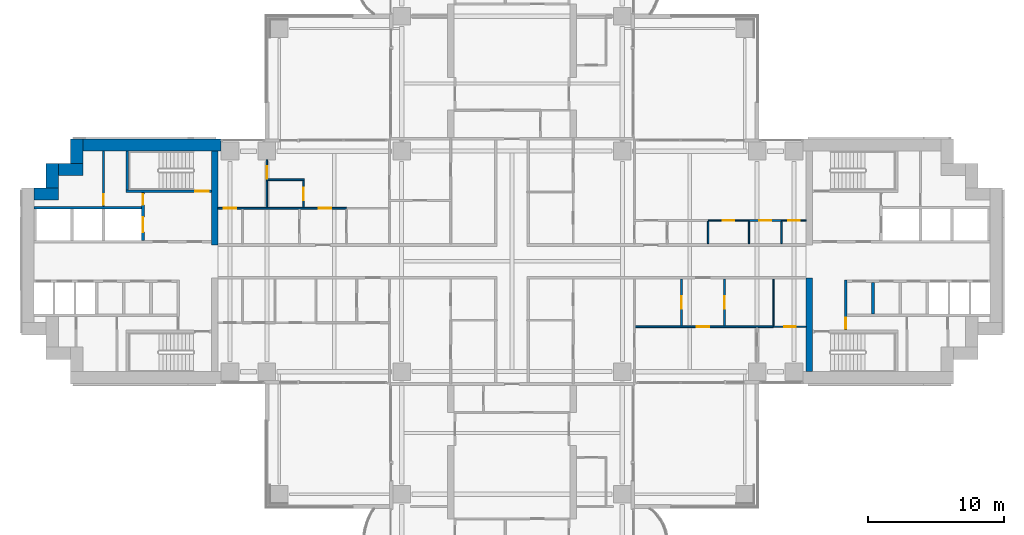
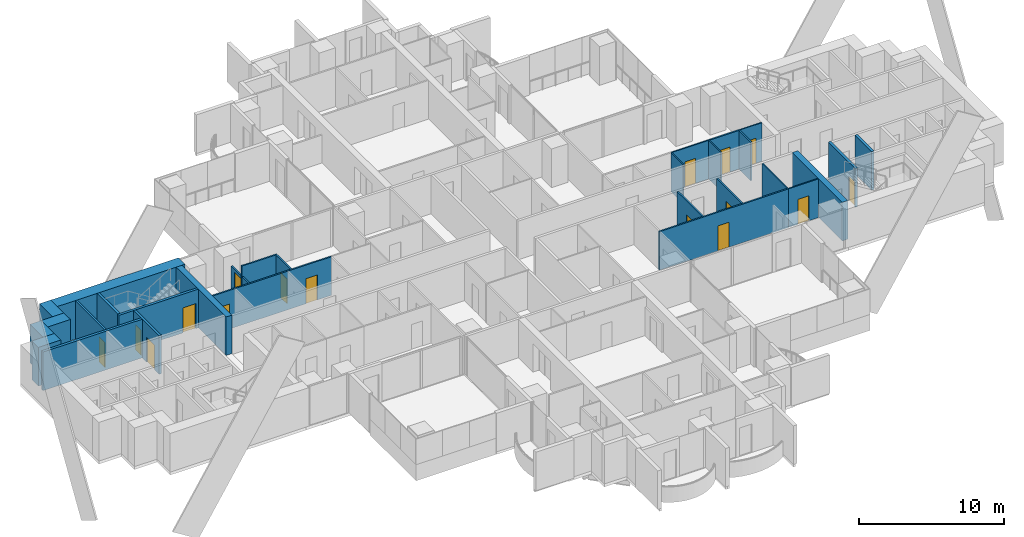
# One storey, part 14 of 23: 29 walls, 16 doors, 16 openings.
"""IFC4 building model written with IfcOpenShell, lengths in metres."""

from ifc_helpers import new_model, si_unit, direction, frame, frame_2d, origin, place, context, subcontext, project, spatial, rectangle, extrude, material, layer, layer_set, type_object, element, fill, save


model = new_model("IFC4")

# Units and contexts
model_context = context("Model", 3, precision=1e-05, world=origin(), true_north=direction((0.0, 1.0)))
body_context = subcontext(model_context, "Body", "Model", "MODEL_VIEW")
ifc_project = project(units=[si_unit("LENGTHUNIT", "METRE"), si_unit("AREAUNIT", "SQUARE_METRE"), si_unit("VOLUMEUNIT", "CUBIC_METRE"), si_unit("PLANEANGLEUNIT", "RADIAN"), si_unit("MASSUNIT", "GRAM", prefix="KILO")], contexts=[model_context])

# Site, building, storey
site_placement = place(None, origin())
site = spatial("IfcSite", under=ifc_project, at=site_placement, CompositionType="ELEMENT")
building_placement = place(site_placement, origin())
building = spatial("IfcBuilding", under=site, at=building_placement, Name="Perihelion Cross Residences", CompositionType="ELEMENT")
storey_placement = place(building_placement, frame((0.0, 0.0, 36.5)))
storey = spatial("IfcBuildingStorey", under=building, at=storey_placement, Name="L05", CompositionType="ELEMENT", Elevation=36.5)

# Walls
ifc_material_1 = material(Name="Concrete C60/75", Category="concrete")
ifc_layer_1 = layer(ifc_material_1, 0.449951171875)
ifc_layer_set_1 = layer_set([ifc_layer_1], Name="Core wall, inner 450")
wall_type_1 = type_object("IfcWallType", Name="Core wall, inner 450", PredefinedType="SHEAR", material=ifc_layer_set_1)
for number, where, z_axis, x_axis, name in (
    (1, (21.824951171875, -8.10009765625, 0.0), (0.0, 0.0, 1.0), (0.0, 1.0, 0.0), "East core core wall, inner"),
    (2, (-21.824951171875, 1.199951171875, 0.0), (0.0, 0.0, 1.0), (0.0, 1.0, 0.0), "West core core wall, inner"),
):
    element("IfcWall", number, at=place(storey_placement, frame(where, z_axis=z_axis, x_axis=x_axis)), inside=storey, type_object=wall_type_1, Name=name, PredefinedType="SHEAR", context=body_context, shape_type="SweptSolid", body=[
        extrude(rectangle(XDim=6.900146484375, YDim=0.449951171875, at=frame_2d((3.4501953125, 0.0))), origin(), (0.0, 0.0, 1.0), 3.25),
    ])
ifc_material_2 = material(Name="Concrete C60/75", Category="concrete")
ifc_layer_2 = layer(ifc_material_2, 0.89990234375)
ifc_layer_set_2 = layer_set([ifc_layer_2], Name="Core wall, outer 900")
wall_type_2 = type_object("IfcWallType", Name="Core wall, outer 900", PredefinedType="SHEAR", material=ifc_layer_set_2)
for number, where, z_axis, x_axis, name in (
    (3, (-35.10009765625, 4.949951171875, 0.0), (0.0, 0.0, 1.0), (1.0, 0.0, 0.0), "West core core wall, outer"),
    (4, (-33.75, 5.39990234375, 0.0), (0.0, 0.0, 1.0), (0.0, 1.0, 0.0), "West core core wall, outer"),
    (5, (-33.300048828125, 6.75, 0.0), (0.0, 0.0, 1.0), (1.0, 0.0, 0.0), "West core core wall, outer"),
    (6, (-31.949951171875, 7.199951171875, 0.0), (0.0, 0.0, 1.0), (0.0, 1.0, 0.0), "West core core wall, outer"),
):
    element("IfcWall", number, at=place(storey_placement, frame(where, z_axis=z_axis, x_axis=x_axis)), inside=storey, type_object=wall_type_2, Name=name, PredefinedType="SHEAR", context=body_context, shape_type="SweptSolid", body=[
        extrude(rectangle(XDim=1.800048828125, YDim=0.89990234375, at=frame_2d((0.89990234375, 0.0))), origin(), (0.0, 0.0, 1.0), 3.25),
    ])
wall_1_placement = place(storey_placement, frame((-31.5, 8.550048828125, 0.0), z_axis=(0.0, 0.0, 1.0), x_axis=(1.0, 0.0, 0.0)))
element("IfcWall", 7, at=wall_1_placement, inside=storey, type_object=wall_type_2, Name="West core core wall, outer", PredefinedType="SHEAR", context=body_context, shape_type="SweptSolid", body=[
    extrude(rectangle(XDim=10.14990234375, YDim=0.89990234375, at=frame_2d((5.074951171875, 0.0))), origin(), (0.0, 0.0, 1.0), 3.25),
])

# Wall, opening, door
ifc_material_3 = material(Name="Concrete C50/60", Category="concrete")
ifc_layer_3 = layer(ifc_material_3, 0.199951171875)
ifc_layer_set_3 = layer_set([ifc_layer_3], Name="Lobby wall 200")
wall_type_3 = type_object("IfcWallType", Name="Lobby wall 200", PredefinedType="SOLIDWALL", material=ifc_layer_set_3)
wall_2_placement = place(storey_placement, frame((24.5, -5.050048828125, 0.0), z_axis=(0.0, 0.0, 1.0), x_axis=(0.0, 1.0, 0.0)))
wall_2 = element("IfcWall", 8, at=wall_2_placement, inside=storey, type_object=wall_type_3, Name="East core lobby wall", PredefinedType="SOLIDWALL", context=body_context, shape_type="SweptSolid", body=[
    extrude(rectangle(XDim=3.699951171875, YDim=0.199951171875, at=frame_2d((1.85009765625, 0.0))), origin(), (0.0, 0.0, 1.0), 3.25),
])
opening_1_placement = place(wall_2_placement, frame((0.10009765625, 0.0, 0.0)))
opening_1 = element("IfcOpeningElement", 9, at=opening_1_placement, cuts=wall_2, Name="Opening L05.C08", PredefinedType="OPENING", context=body_context, shape_type="SweptSolid", body=[
    extrude(rectangle(XDim=0.800048828125, YDim=2.10009765625, at=frame_2d((0.39990234375, 1.050048828125))), frame((0.0, 0.10986328125, 0.0), z_axis=(0.0, -1.0, 0.0), x_axis=(1.0, 0.0, 0.0)), (0.0, 0.0, 1.0), 0.219970703125),
])
ifc_material_4 = material(Name="Steel, powder coated", Category="steel")
door_type_1 = type_object("IfcDoorType", Name="Riser door 800", OperationType="SINGLE_SWING_LEFT", PredefinedType="DOOR", material=ifc_material_4)
door_1_placement = place(opening_1_placement, origin())
door_1 = element("IfcDoor", 10, at=door_1_placement, inside=storey, type_object=door_type_1, Name="East core riser door", OperationType="SINGLE_SWING_LEFT", OverallHeight=2.10009765625, OverallWidth=0.800048828125, PredefinedType="DOOR", context=body_context, shape_type="SweptSolid", body=[
    extrude(rectangle(XDim=0.800048828125, YDim=2.10009765625, at=frame_2d((0.39990234375, 1.050048828125))), frame((0.0, 0.02490234375, 0.0), z_axis=(0.0, -1.0, 0.0), x_axis=(1.0, 0.0, 0.0)), (0.0, 0.0, 1.0), 0.050048828125),
])
fill(opening_1, door_1)

ifc_material_5 = material(Name="Plasterboard partition")
ifc_layer_4 = layer(ifc_material_5, 0.1201171875)
ifc_layer_set_4 = layer_set([ifc_layer_4], Name="Partition wall 120")
wall_type_4 = type_object("IfcWallType", Name="Partition wall 120", PredefinedType="PARTITIONING", material=ifc_layer_set_4)
wall_3_placement = place(storey_placement, frame((17.39990234375, 3.0, 0.0), z_axis=(0.0, 0.0, 1.0), x_axis=(1.0, 0.0, 0.0)))
wall_3 = element("IfcWall", 11, at=wall_3_placement, inside=storey, type_object=wall_type_4, Name="Partition L05 W018", PredefinedType="PARTITIONING", context=body_context, shape_type="SweptSolid", body=[
    extrude(rectangle(XDim=2.400146484375, YDim=0.1201171875, at=frame_2d((1.2001953125, 0.0))), origin(), (0.0, 0.0, 1.0), 3.25),
])
opening_2_placement = place(wall_3_placement, frame((0.75, 0.0, 0.0)))
opening_2 = element("IfcOpeningElement", 12, at=opening_2_placement, cuts=wall_3, Name="Opening L05.A08", PredefinedType="OPENING", context=body_context, shape_type="SweptSolid", body=[
    extrude(rectangle(XDim=0.89990234375, YDim=2.10009765625, at=frame_2d((0.449951171875, 1.050048828125))), frame((0.0, 0.070068359375, 0.0), z_axis=(0.0, -1.0, 0.0), x_axis=(1.0, 0.0, 0.0)), (0.0, 0.0, 1.0), 0.14013671875),
])
ifc_material_6 = material(Name="Timber door leaf", Category="wood")
door_type_2 = type_object("IfcDoorType", Name="Interior room door 900 x 2100", OperationType="SINGLE_SWING_LEFT", PredefinedType="DOOR", material=ifc_material_6)
door_2_placement = place(opening_2_placement, origin())
door_2 = element("IfcDoor", 13, at=door_2_placement, inside=storey, type_object=door_type_2, Name="Door L05.A08", OperationType="SINGLE_SWING_RIGHT", OverallHeight=2.10009765625, OverallWidth=0.89990234375, PredefinedType="DOOR", context=body_context, shape_type="SweptSolid", body=[
    extrude(rectangle(XDim=0.89990234375, YDim=2.10009765625, at=frame_2d((0.449951171875, 1.050048828125))), frame((0.0, 0.02490234375, 0.0), z_axis=(0.0, -1.0, 0.0), x_axis=(1.0, 0.0, 0.0)), (0.0, 0.0, 1.0), 0.050048828125),
])
fill(opening_2, door_2)

wall_4_placement = place(storey_placement, frame((12.449951171875, -1.300048828125, 0.0), z_axis=(0.0, 0.0, 1.0), x_axis=(0.0, -1.0, 0.0)))
wall_4 = element("IfcWall", 14, at=wall_4_placement, inside=storey, type_object=wall_type_4, Name="Partition L05 W023", PredefinedType="PARTITIONING", context=body_context, shape_type="SweptSolid", body=[
    extrude(rectangle(XDim=3.43994140625, YDim=0.1201171875, at=frame_2d((1.719970703125, 0.0))), origin(), (0.0, 0.0, 1.0), 3.25),
])
opening_3_placement = place(wall_4_placement, frame((1.27001953125, 0.0, 0.0)))
opening_3 = element("IfcOpeningElement", 15, at=opening_3_placement, cuts=wall_4, Name="Opening L05.A10", PredefinedType="OPENING", context=body_context, shape_type="SweptSolid", body=[
    extrude(rectangle(XDim=0.89990234375, YDim=2.10009765625, at=frame_2d((0.449951171875, 1.050048828125))), frame((0.0, 0.070068359375, 0.0), z_axis=(0.0, -1.0, 0.0), x_axis=(1.0, 0.0, 0.0)), (0.0, 0.0, 1.0), 0.14013671875),
])
door_3_placement = place(opening_3_placement, origin())
door_3 = element("IfcDoor", 16, at=door_3_placement, inside=storey, type_object=door_type_2, Name="Door L05.A10", OperationType="SINGLE_SWING_RIGHT", OverallHeight=2.10009765625, OverallWidth=0.89990234375, PredefinedType="DOOR", context=body_context, shape_type="SweptSolid", body=[
    extrude(rectangle(XDim=0.89990234375, YDim=2.10009765625, at=frame_2d((0.449951171875, 1.050048828125))), frame((0.0, 0.02490234375, 0.0), z_axis=(0.0, -1.0, 0.0), x_axis=(1.0, 0.0, 0.0)), (0.0, 0.0, 1.0), 0.050048828125),
])
fill(opening_3, door_3)

wall_5_placement = place(storey_placement, frame((19.199951171875, -4.800048828125, 0.0), z_axis=(0.0, 0.0, 1.0), x_axis=(-1.0, 0.0, 0.0)))
wall_5 = element("IfcWall", 17, at=wall_5_placement, inside=storey, type_object=wall_type_4, Name="Partition L05 W024", PredefinedType="PARTITIONING", context=body_context, shape_type="SweptSolid", body=[
    extrude(rectangle(XDim=10.260009765625, YDim=0.1201171875, at=frame_2d((5.1298828125, 0.0))), origin(), (0.0, 0.0, 1.0), 3.25),
])
opening_4_placement = place(wall_5_placement, frame((4.72509765625, 0.0, 0.0)))
opening_4 = element("IfcOpeningElement", 18, at=opening_4_placement, cuts=wall_5, Name="Opening L05.A12", PredefinedType="OPENING", context=body_context, shape_type="SweptSolid", body=[
    extrude(rectangle(XDim=0.89990234375, YDim=2.10009765625, at=frame_2d((0.449951171875, 1.050048828125))), frame((0.0, 0.070068359375, 0.0), z_axis=(0.0, -1.0, 0.0), x_axis=(1.0, 0.0, 0.0)), (0.0, 0.0, 1.0), 0.14013671875),
])
door_4_placement = place(opening_4_placement, origin())
door_4 = element("IfcDoor", 19, at=door_4_placement, inside=storey, type_object=door_type_2, Name="Door L05.A12", OperationType="SINGLE_SWING_RIGHT", OverallHeight=2.10009765625, OverallWidth=0.89990234375, PredefinedType="DOOR", context=body_context, shape_type="SweptSolid", body=[
    extrude(rectangle(XDim=0.89990234375, YDim=2.10009765625, at=frame_2d((0.449951171875, 1.050048828125))), frame((0.0, 0.02490234375, 0.0), z_axis=(0.0, -1.0, 0.0), x_axis=(1.0, 0.0, 0.0)), (0.0, 0.0, 1.0), 0.050048828125),
])
fill(opening_4, door_4)

wall_6_placement = place(storey_placement, frame((15.60009765625, -1.300048828125, 0.0), z_axis=(0.0, 0.0, 1.0), x_axis=(0.0, -1.0, 0.0)))
wall_6 = element("IfcWall", 20, at=wall_6_placement, inside=storey, type_object=wall_type_4, Name="Partition L05 W026", PredefinedType="PARTITIONING", context=body_context, shape_type="SweptSolid", body=[
    extrude(rectangle(XDim=3.43994140625, YDim=0.1201171875, at=frame_2d((1.719970703125, 0.0))), origin(), (0.0, 0.0, 1.0), 3.25),
])
opening_5_placement = place(wall_6_placement, frame((1.27001953125, 0.0, 0.0)))
opening_5 = element("IfcOpeningElement", 21, at=opening_5_placement, cuts=wall_6, Name="Opening L05.A11", PredefinedType="OPENING", context=body_context, shape_type="SweptSolid", body=[
    extrude(rectangle(XDim=0.89990234375, YDim=2.10009765625, at=frame_2d((0.449951171875, 1.050048828125))), frame((0.0, 0.070068359375, 0.0), z_axis=(0.0, -1.0, 0.0), x_axis=(1.0, 0.0, 0.0)), (0.0, 0.0, 1.0), 0.14013671875),
])
door_5_placement = place(opening_5_placement, origin())
door_5 = element("IfcDoor", 22, at=door_5_placement, inside=storey, type_object=door_type_2, Name="Door L05.A11", OperationType="SINGLE_SWING_LEFT", OverallHeight=2.10009765625, OverallWidth=0.89990234375, PredefinedType="DOOR", context=body_context, shape_type="SweptSolid", body=[
    extrude(rectangle(XDim=0.89990234375, YDim=2.10009765625, at=frame_2d((0.449951171875, 1.050048828125))), frame((0.0, 0.02490234375, 0.0), z_axis=(0.0, -1.0, 0.0), x_axis=(1.0, 0.0, 0.0)), (0.0, 0.0, 1.0), 0.050048828125),
])
fill(opening_5, door_5)

# Wall, openings, doors
wall_7_placement = place(storey_placement, frame((-21.60009765625, 3.89990234375, 0.0), z_axis=(0.0, 0.0, 1.0), x_axis=(1.0, 0.0, 0.0)))
wall_7 = element("IfcWall", 23, at=wall_7_placement, inside=storey, type_object=wall_type_4, Name="Partition L05 W037", PredefinedType="PARTITIONING", context=body_context, shape_type="SweptSolid", body=[
    extrude(rectangle(XDim=9.4501953125, YDim=0.1201171875, at=frame_2d((4.72509765625, 0.0))), origin(), (0.0, 0.0, 1.0), 3.25),
])
opening_6_placement = place(wall_7_placement, frame((7.425048828125, 0.0, 0.0)))
opening_6 = element("IfcOpeningElement", 24, at=opening_6_placement, cuts=wall_7, Name="Opening L05.A23", PredefinedType="OPENING", context=body_context, shape_type="SweptSolid", body=[
    extrude(rectangle(XDim=0.89990234375, YDim=2.10009765625, at=frame_2d((0.449951171875, 1.050048828125))), frame((0.0, 0.070068359375, 0.0), z_axis=(0.0, -1.0, 0.0), x_axis=(1.0, 0.0, 0.0)), (0.0, 0.0, 1.0), 0.14013671875),
])
opening_7_placement = place(wall_7_placement, frame((0.449951171875, 0.0, 0.0)))
opening_7 = element("IfcOpeningElement", 25, at=opening_7_placement, cuts=wall_7, Name="Opening L05.A24", PredefinedType="OPENING", context=body_context, shape_type="SweptSolid", body=[
    extrude(rectangle(XDim=0.89990234375, YDim=2.10009765625, at=frame_2d((0.449951171875, 1.050048828125))), frame((0.0, 0.070068359375, 0.0), z_axis=(0.0, -1.0, 0.0), x_axis=(1.0, 0.0, 0.0)), (0.0, 0.0, 1.0), 0.14013671875),
])
door_6_placement = place(opening_6_placement, origin())
door_6 = element("IfcDoor", 26, at=door_6_placement, inside=storey, type_object=door_type_2, Name="Door L05.A23", OperationType="SINGLE_SWING_RIGHT", OverallHeight=2.10009765625, OverallWidth=0.89990234375, PredefinedType="DOOR", context=body_context, shape_type="SweptSolid", body=[
    extrude(rectangle(XDim=0.89990234375, YDim=2.10009765625, at=frame_2d((0.449951171875, 1.050048828125))), frame((0.0, 0.02490234375, 0.0), z_axis=(0.0, -1.0, 0.0), x_axis=(1.0, 0.0, 0.0)), (0.0, 0.0, 1.0), 0.050048828125),
])
fill(opening_6, door_6)
door_7_placement = place(opening_7_placement, origin())
door_7 = element("IfcDoor", 27, at=door_7_placement, inside=storey, type_object=door_type_2, Name="Door L05.A24", OperationType="SINGLE_SWING_LEFT", OverallHeight=2.10009765625, OverallWidth=0.89990234375, PredefinedType="DOOR", context=body_context, shape_type="SweptSolid", body=[
    extrude(rectangle(XDim=0.89990234375, YDim=2.10009765625, at=frame_2d((0.449951171875, 1.050048828125))), frame((0.0, 0.02490234375, 0.0), z_axis=(0.0, -1.0, 0.0), x_axis=(1.0, 0.0, 0.0)), (0.0, 0.0, 1.0), 0.050048828125),
])
fill(opening_7, door_7)

# Wall, opening, door
wall_8_placement = place(storey_placement, frame((-15.300048828125, 3.9599609375, 0.0), z_axis=(0.0, 0.0, 1.0), x_axis=(0.0, 1.0, 0.0)))
wall_8 = element("IfcWall", 28, at=wall_8_placement, inside=storey, type_object=wall_type_4, Name="Partition L05 W039", PredefinedType="PARTITIONING", context=body_context, shape_type="SweptSolid", body=[
    extrude(rectangle(XDim=1.97998046875, YDim=0.1201171875, at=frame_2d((0.989990234375, 0.0))), origin(), (0.0, 0.0, 1.0), 3.25),
])
opening_8_placement = place(wall_8_placement, frame((0.5400390625, 0.0, 0.0)))
opening_8 = element("IfcOpeningElement", 29, at=opening_8_placement, cuts=wall_8, Name="Opening L05.A25", PredefinedType="OPENING", context=body_context, shape_type="SweptSolid", body=[
    extrude(rectangle(XDim=0.89990234375, YDim=2.10009765625, at=frame_2d((0.449951171875, 1.050048828125))), frame((0.0, 0.070068359375, 0.0), z_axis=(0.0, -1.0, 0.0), x_axis=(1.0, 0.0, 0.0)), (0.0, 0.0, 1.0), 0.14013671875),
])
door_8_placement = place(opening_8_placement, origin())
door_8 = element("IfcDoor", 30, at=door_8_placement, inside=storey, type_object=door_type_2, Name="Door L05.A25", OperationType="SINGLE_SWING_LEFT", OverallHeight=2.10009765625, OverallWidth=0.89990234375, PredefinedType="DOOR", context=body_context, shape_type="SweptSolid", body=[
    extrude(rectangle(XDim=0.89990234375, YDim=2.10009765625, at=frame_2d((0.449951171875, 1.050048828125))), frame((0.0, 0.02490234375, 0.0), z_axis=(0.0, -1.0, 0.0), x_axis=(1.0, 0.0, 0.0)), (0.0, 0.0, 1.0), 0.050048828125),
])
fill(opening_8, door_8)

# Wall
wall_9_placement = place(storey_placement, frame((-15.239990234375, 6.0, 0.0), z_axis=(0.0, 0.0, 1.0), x_axis=(-1.0, 0.0, 0.0)))
element("IfcWall", 31, at=wall_9_placement, inside=storey, type_object=wall_type_4, Name="Partition L05 W040", PredefinedType="PARTITIONING", context=body_context, shape_type="SweptSolid", body=[
    extrude(rectangle(XDim=2.820068359375, YDim=0.1201171875, at=frame_2d((1.41015625, 0.0))), origin(), (0.0, 0.0, 1.0), 3.25),
])

# Wall, opening, door
wall_10_placement = place(storey_placement, frame((-18.0, 3.9599609375, 0.0), z_axis=(0.0, 0.0, 1.0), x_axis=(0.0, 1.0, 0.0)))
wall_10 = element("IfcWall", 32, at=wall_10_placement, inside=storey, type_object=wall_type_4, Name="Partition L05 W041", PredefinedType="PARTITIONING", context=body_context, shape_type="SweptSolid", body=[
    extrude(rectangle(XDim=3.489990234375, YDim=0.1201171875, at=frame_2d((1.7451171875, 0.0))), origin(), (0.0, 0.0, 1.0), 2.345947265625),
])
opening_9_placement = place(wall_10_placement, frame((2.110107421875, 0.0, 0.0)))
opening_9 = element("IfcOpeningElement", 33, at=opening_9_placement, cuts=wall_10, Name="Opening L05.A17", PredefinedType="OPENING", context=body_context, shape_type="SweptSolid", body=[
    extrude(rectangle(XDim=0.89990234375, YDim=2.10009765625, at=frame_2d((0.449951171875, 1.050048828125))), frame((0.0, 0.070068359375, 0.0), z_axis=(0.0, -1.0, 0.0), x_axis=(1.0, 0.0, 0.0)), (0.0, 0.0, 1.0), 0.14013671875),
])
door_9_placement = place(opening_9_placement, origin())
door_9 = element("IfcDoor", 34, at=door_9_placement, inside=storey, type_object=door_type_2, Name="Door L05.A17", OperationType="SINGLE_SWING_LEFT", OverallHeight=2.10009765625, OverallWidth=0.89990234375, PredefinedType="DOOR", context=body_context, shape_type="SweptSolid", body=[
    extrude(rectangle(XDim=0.89990234375, YDim=2.10009765625, at=frame_2d((0.449951171875, 1.050048828125))), frame((0.0, 0.02490234375, 0.0), z_axis=(0.0, -1.0, 0.0), x_axis=(1.0, 0.0, 0.0)), (0.0, 0.0, 1.0), 0.050048828125),
])
fill(opening_9, door_9)

ifc_material_7 = material(Name="Fire-rated board on steel stud", Category="steel")
ifc_layer_5 = layer(ifc_material_7, 0.14990234375)
ifc_layer_set_5 = layer_set([ifc_layer_5], Name="Riser wall 150")
wall_type_5 = type_object("IfcWallType", Name="Riser wall 150", PredefinedType="PARTITIONING", material=ifc_layer_set_5)
wall_11_placement = place(storey_placement, frame((-30.0, 4.050048828125, 0.0), z_axis=(0.0, 0.0, 1.0), x_axis=(0.0, 1.0, 0.0)))
wall_11 = element("IfcWall", 35, at=wall_11_placement, inside=storey, type_object=wall_type_5, Name="West core riser wall", PredefinedType="PARTITIONING", context=body_context, shape_type="SweptSolid", body=[
    extrude(rectangle(XDim=4.050048828125, YDim=0.14990234375, at=frame_2d((2.02490234375, 0.0))), origin(), (0.0, 0.0, 1.0), 3.25),
])
opening_10_placement = place(wall_11_placement, frame((0.10009765625, 0.0, 0.0)))
opening_10 = element("IfcOpeningElement", 36, at=opening_10_placement, cuts=wall_11, Name="Opening L05.C31", PredefinedType="OPENING", context=body_context, shape_type="SweptSolid", body=[
    extrude(rectangle(XDim=0.800048828125, YDim=2.10009765625, at=frame_2d((0.39990234375, 1.050048828125))), frame((0.0, 0.0849609375, 0.0), z_axis=(0.0, -1.0, 0.0), x_axis=(1.0, 0.0, 0.0)), (0.0, 0.0, 1.0), 0.169921875),
])
door_10_placement = place(opening_10_placement, origin())
door_10 = element("IfcDoor", 37, at=door_10_placement, inside=storey, type_object=door_type_1, Name="West core riser door", OperationType="SINGLE_SWING_LEFT", OverallHeight=2.10009765625, OverallWidth=0.800048828125, PredefinedType="DOOR", context=body_context, shape_type="SweptSolid", body=[
    extrude(rectangle(XDim=0.800048828125, YDim=2.10009765625, at=frame_2d((0.39990234375, 1.050048828125))), frame((0.0, 0.02490234375, 0.0), z_axis=(0.0, -1.0, 0.0), x_axis=(1.0, 0.0, 0.0)), (0.0, 0.0, 1.0), 0.050048828125),
])
fill(opening_10, door_10)

# Walls
ifc_material_8 = material(Name="Fire-rated board on steel stud", Category="steel")
ifc_layer_6 = layer(ifc_material_8, 0.199951171875)
ifc_layer_set_6 = layer_set([ifc_layer_6], Name="Riser wall 200")
wall_type_6 = type_object("IfcWallType", Name="Riser wall 200", PredefinedType="PARTITIONING", material=ifc_layer_set_6)
wall_12_placement = place(storey_placement, frame((26.5, -3.85009765625, 0.0), z_axis=(0.0, 0.0, 1.0), x_axis=(0.0, 1.0, 0.0)))
element("IfcWall", 38, at=wall_12_placement, inside=storey, type_object=wall_type_6, Name="East core riser wall", PredefinedType="PARTITIONING", context=body_context, shape_type="SweptSolid", body=[
    extrude(rectangle(XDim=2.300048828125, YDim=0.199951171875, at=frame_2d((1.14990234375, 0.0))), origin(), (0.0, 0.0, 1.0), 3.25),
])
ifc_material_9 = material(Name="Concrete C50/60", Category="concrete")
ifc_layer_7 = layer(ifc_material_9, 0.199951171875)
ifc_layer_set_7 = layer_set([ifc_layer_7], Name="Shaft wall 200")
wall_type_7 = type_object("IfcWallType", Name="Shaft wall 200", PredefinedType="SOLIDWALL", material=ifc_layer_set_7)
wall_13_placement = place(storey_placement, frame((-35.10009765625, 3.949951171875, 0.0), z_axis=(0.0, 0.0, 1.0), x_axis=(1.0, 0.0, 0.0)))
element("IfcWall", 39, at=wall_13_placement, inside=storey, type_object=wall_type_7, Name="West core shaft wall", PredefinedType="SOLIDWALL", context=body_context, shape_type="SweptSolid", body=[
    extrude(rectangle(XDim=7.900146484375, YDim=0.199951171875, at=frame_2d((3.9501953125, 0.0))), origin(), (0.0, 0.0, 1.0), 3.25),
])

# Wall, openings, doors
wall_14_placement = place(storey_placement, frame((-27.10009765625, 1.550048828125, 0.0), z_axis=(0.0, 0.0, 1.0), x_axis=(0.0, 1.0, 0.0)))
wall_14 = element("IfcWall", 40, at=wall_14_placement, inside=storey, type_object=wall_type_7, Name="West core shaft wall", PredefinedType="SOLIDWALL", context=body_context, shape_type="SweptSolid", body=[
    extrude(rectangle(XDim=3.5, YDim=0.199951171875, at=frame_2d((1.75, 0.0))), origin(), (0.0, 0.0, 1.0), 3.25),
])
opening_11_placement = place(wall_14_placement, frame((0.60009765625, 0.0, 0.0)))
opening_11 = element("IfcOpeningElement", 41, at=opening_11_placement, cuts=wall_14, Name="Opening L05.C17", PredefinedType="OPENING", context=body_context, shape_type="SweptSolid", body=[
    extrude(rectangle(XDim=1.10009765625, YDim=2.10009765625, at=frame_2d((0.550048828125, 1.050048828125))), frame((0.0, 0.10986328125, 0.0), z_axis=(0.0, -1.0, 0.0), x_axis=(1.0, 0.0, 0.0)), (0.0, 0.0, 1.0), 0.219970703125),
])
opening_12_placement = place(wall_14_placement, frame((2.60009765625, 0.0, 0.0)))
opening_12 = element("IfcOpeningElement", 42, at=opening_12_placement, cuts=wall_14, Name="Opening L05.C27", PredefinedType="OPENING", context=body_context, shape_type="SweptSolid", body=[
    extrude(rectangle(XDim=0.800048828125, YDim=2.10009765625, at=frame_2d((0.39990234375, 1.050048828125))), frame((0.0, 0.10986328125, 0.0), z_axis=(0.0, -1.0, 0.0), x_axis=(1.0, 0.0, 0.0)), (0.0, 0.0, 1.0), 0.219970703125),
])
ifc_material_10 = material(Name="Stainless steel", Category="steel")
door_type_3 = type_object("IfcDoorType", Name="Landing door, firefighting lift 1100", OperationType="DOUBLE_DOOR_SLIDING", PredefinedType="DOOR", material=ifc_material_10)
door_11_placement = place(opening_11_placement, origin())
door_11 = element("IfcDoor", 43, at=door_11_placement, inside=storey, type_object=door_type_3, Name="Landing door, West core firefighting and service lift", OperationType="DOUBLE_DOOR_SLIDING", OverallHeight=2.10009765625, OverallWidth=1.10009765625, PredefinedType="DOOR", context=body_context, shape_type="SweptSolid", body=[
    extrude(rectangle(XDim=1.10009765625, YDim=2.10009765625, at=frame_2d((0.550048828125, 1.050048828125))), frame((0.0, 0.02490234375, 0.0), z_axis=(0.0, -1.0, 0.0), x_axis=(1.0, 0.0, 0.0)), (0.0, 0.0, 1.0), 0.050048828125),
])
fill(opening_11, door_11)
door_12_placement = place(opening_12_placement, origin())
door_12 = element("IfcDoor", 44, at=door_12_placement, inside=storey, type_object=door_type_1, Name="West core riser door", OperationType="SINGLE_SWING_LEFT", OverallHeight=2.10009765625, OverallWidth=0.800048828125, PredefinedType="DOOR", context=body_context, shape_type="SweptSolid", body=[
    extrude(rectangle(XDim=0.800048828125, YDim=2.10009765625, at=frame_2d((0.39990234375, 1.050048828125))), frame((0.0, 0.02490234375, 0.0), z_axis=(0.0, -1.0, 0.0), x_axis=(1.0, 0.0, 0.0)), (0.0, 0.0, 1.0), 0.050048828125),
])
fill(opening_12, door_12)

# Wall, opening, door
ifc_material_11 = material(Name="Concrete C50/60", Category="concrete")
ifc_layer_8 = layer(ifc_material_11, 0.199951171875)
ifc_layer_set_8 = layer_set([ifc_layer_8], Name="Stair wall 200")
wall_type_8 = type_object("IfcWallType", Name="Stair wall 200", PredefinedType="SOLIDWALL", material=ifc_layer_set_8)
wall_15_placement = place(storey_placement, frame((-28.35009765625, 5.14990234375, 0.0), z_axis=(0.0, 0.0, 1.0), x_axis=(1.0, 0.0, 0.0)))
wall_15 = element("IfcWall", 45, at=wall_15_placement, inside=storey, type_object=wall_type_8, Name="West core stair wall", PredefinedType="SOLIDWALL", context=body_context, shape_type="SweptSolid", body=[
    extrude(rectangle(XDim=6.300048828125, YDim=0.199951171875, at=frame_2d((3.14990234375, 0.0))), origin(), (0.0, 0.0, 1.0), 3.25),
])
opening_13_placement = place(wall_15_placement, frame((5.10009765625, 0.0, 0.0)))
opening_13 = element("IfcOpeningElement", 46, at=opening_13_placement, cuts=wall_15, Name="Opening L05.C22", PredefinedType="OPENING", context=body_context, shape_type="SweptSolid", body=[
    extrude(rectangle(XDim=1.0, YDim=2.10009765625, at=frame_2d((0.5, 1.050048828125))), frame((0.0, 0.10986328125, 0.0), z_axis=(0.0, -1.0, 0.0), x_axis=(1.0, 0.0, 0.0)), (0.0, 0.0, 1.0), 0.219970703125),
])
ifc_material_12 = material(Name="Steel, powder coated", Category="steel")
door_type_4 = type_object("IfcDoorType", Name="Stair door 1000", OperationType="SINGLE_SWING_LEFT", PredefinedType="DOOR", material=ifc_material_12)
door_13_placement = place(opening_13_placement, origin())
door_13 = element("IfcDoor", 47, at=door_13_placement, inside=storey, type_object=door_type_4, Name="West core stair door", OperationType="SINGLE_SWING_LEFT", OverallHeight=2.10009765625, OverallWidth=1.0, PredefinedType="DOOR", context=body_context, shape_type="SweptSolid", body=[
    extrude(rectangle(XDim=1.0, YDim=2.10009765625, at=frame_2d((0.5, 1.050048828125))), frame((0.0, 0.02490234375, 0.0), z_axis=(0.0, -1.0, 0.0), x_axis=(1.0, 0.0, 0.0)), (0.0, 0.0, 1.0), 0.050048828125),
])
fill(opening_13, door_13)

# Walls
wall_16_placement = place(storey_placement, frame((-28.25, 5.25, 0.0), z_axis=(0.0, 0.0, 1.0), x_axis=(0.0, 1.0, 0.0)))
element("IfcWall", 48, at=wall_16_placement, inside=storey, type_object=wall_type_8, Name="West core stair wall", PredefinedType="SOLIDWALL", context=body_context, shape_type="SweptSolid", body=[
    extrude(rectangle(XDim=2.85009765625, YDim=0.199951171875, at=frame_2d((1.425048828125, 0.0))), origin(), (0.0, 0.0, 1.0), 3.25),
])
ifc_material_13 = material(Name="Plasterboard partition")
ifc_layer_9 = layer(ifc_material_13, 0.10009765625)
ifc_layer_set_9 = layer_set([ifc_layer_9], Name="Wet room wall 100")
wall_type_9 = type_object("IfcWallType", Name="Wet room wall 100", PredefinedType="PARTITIONING", material=ifc_layer_set_9)
for number, where, z_axis, x_axis, name in (
    (49, (14.39990234375, 2.93994140625, 0.0), (0.0, 0.0, 1.0), (0.0, -1.0, 0.0), "Partition L05 W014"),
    (50, (17.39990234375, 2.93994140625, 0.0), (0.0, 0.0, 1.0), (0.0, -1.0, 0.0), "Partition L05 W015"),
):
    element("IfcWall", number, at=place(storey_placement, frame(where, z_axis=z_axis, x_axis=x_axis)), inside=storey, type_object=wall_type_9, Name=name, PredefinedType="PARTITIONING", context=body_context, shape_type="SweptSolid", body=[
        extrude(rectangle(XDim=1.639892578125, YDim=0.10009765625, at=frame_2d((0.81982421875, 0.0))), origin(), (0.0, 0.0, 1.0), 3.25),
    ])

# Wall, opening, door
wall_17_placement = place(storey_placement, frame((14.39990234375, 3.0, 0.0), z_axis=(0.0, 0.0, 1.0), x_axis=(1.0, 0.0, 0.0)))
wall_17 = element("IfcWall", 51, at=wall_17_placement, inside=storey, type_object=wall_type_9, Name="Partition L05 W016", PredefinedType="PARTITIONING", context=body_context, shape_type="SweptSolid", body=[
    extrude(rectangle(XDim=3.0, YDim=0.10009765625, at=frame_2d((1.5, 0.0))), origin(), (0.0, 0.0, 1.0), 3.25),
])
opening_14_placement = place(wall_17_placement, frame((1.074951171875, 0.0, 0.0)))
opening_14 = element("IfcOpeningElement", 52, at=opening_14_placement, cuts=wall_17, Name="Opening L05.A01", PredefinedType="OPENING", context=body_context, shape_type="SweptSolid", body=[
    extrude(rectangle(XDim=0.85009765625, YDim=2.10009765625, at=frame_2d((0.425048828125, 1.050048828125))), frame((0.0, 0.06005859375, 0.0), z_axis=(0.0, -1.0, 0.0), x_axis=(1.0, 0.0, 0.0)), (0.0, 0.0, 1.0), 0.1201171875),
])
ifc_material_14 = material(Name="Timber door leaf", Category="wood")
door_type_5 = type_object("IfcDoorType", Name="Interior bathroom door 850 x 2100", OperationType="SINGLE_SWING_LEFT", PredefinedType="DOOR", material=ifc_material_14)
door_14_placement = place(opening_14_placement, origin())
door_14 = element("IfcDoor", 53, at=door_14_placement, inside=storey, type_object=door_type_5, Name="Door L05.A01", OperationType="SINGLE_SWING_LEFT", OverallHeight=2.10009765625, OverallWidth=0.85009765625, PredefinedType="DOOR", context=body_context, shape_type="SweptSolid", body=[
    extrude(rectangle(XDim=0.85009765625, YDim=2.10009765625, at=frame_2d((0.425048828125, 1.050048828125))), frame((0.0, 0.02490234375, 0.0), z_axis=(0.0, -1.0, 0.0), x_axis=(1.0, 0.0, 0.0)), (0.0, 0.0, 1.0), 0.050048828125),
])
fill(opening_14, door_14)

# Wall
wall_18_placement = place(storey_placement, frame((19.800048828125, 2.93994140625, 0.0), z_axis=(0.0, 0.0, 1.0), x_axis=(0.0, -1.0, 0.0)))
element("IfcWall", 54, at=wall_18_placement, inside=storey, type_object=wall_type_9, Name="Partition L05 W017", PredefinedType="PARTITIONING", context=body_context, shape_type="SweptSolid", body=[
    extrude(rectangle(XDim=1.639892578125, YDim=0.10009765625, at=frame_2d((0.81982421875, 0.0))), origin(), (0.0, 0.0, 1.0), 3.25),
])

# Wall, opening, door
wall_19_placement = place(storey_placement, frame((19.800048828125, 3.0, 0.0), z_axis=(0.0, 0.0, 1.0), x_axis=(1.0, 0.0, 0.0)))
wall_19 = element("IfcWall", 55, at=wall_19_placement, inside=storey, type_object=wall_type_9, Name="Partition L05 W019", PredefinedType="PARTITIONING", context=body_context, shape_type="SweptSolid", body=[
    extrude(rectangle(XDim=1.800048828125, YDim=0.10009765625, at=frame_2d((0.89990234375, 0.0))), origin(), (0.0, 0.0, 1.0), 3.25),
])
opening_15_placement = place(wall_19_placement, frame((0.47509765625, 0.0, 0.0)))
opening_15 = element("IfcOpeningElement", 56, at=opening_15_placement, cuts=wall_19, Name="Opening L05.A06", PredefinedType="OPENING", context=body_context, shape_type="SweptSolid", body=[
    extrude(rectangle(XDim=0.85009765625, YDim=2.10009765625, at=frame_2d((0.425048828125, 1.050048828125))), frame((0.0, 0.06005859375, 0.0), z_axis=(0.0, -1.0, 0.0), x_axis=(1.0, 0.0, 0.0)), (0.0, 0.0, 1.0), 0.1201171875),
])
door_15_placement = place(opening_15_placement, origin())
door_15 = element("IfcDoor", 57, at=door_15_placement, inside=storey, type_object=door_type_5, Name="Door L05.A06", OperationType="SINGLE_SWING_LEFT", OverallHeight=2.10009765625, OverallWidth=0.85009765625, PredefinedType="DOOR", context=body_context, shape_type="SweptSolid", body=[
    extrude(rectangle(XDim=0.85009765625, YDim=2.10009765625, at=frame_2d((0.425048828125, 1.050048828125))), frame((0.0, 0.02490234375, 0.0), z_axis=(0.0, -1.0, 0.0), x_axis=(1.0, 0.0, 0.0)), (0.0, 0.0, 1.0), 0.050048828125),
])
fill(opening_15, door_15)

# Wall
wall_20_placement = place(storey_placement, frame((19.199951171875, -1.300048828125, 0.0), z_axis=(0.0, 0.0, 1.0), x_axis=(0.0, -1.0, 0.0)))
element("IfcWall", 58, at=wall_20_placement, inside=storey, type_object=wall_type_9, Name="Partition L05 W027", PredefinedType="PARTITIONING", context=body_context, shape_type="SweptSolid", body=[
    extrude(rectangle(XDim=3.43994140625, YDim=0.10009765625, at=frame_2d((1.719970703125, 0.0))), origin(), (0.0, 0.0, 1.0), 3.25),
])

# Wall, opening, door
wall_21_placement = place(storey_placement, frame((21.60009765625, -4.800048828125, 0.0), z_axis=(0.0, 0.0, 1.0), x_axis=(-1.0, 0.0, 0.0)))
wall_21 = element("IfcWall", 59, at=wall_21_placement, inside=storey, type_object=wall_type_9, Name="Partition L05 W028", PredefinedType="PARTITIONING", context=body_context, shape_type="SweptSolid", body=[
    extrude(rectangle(XDim=2.400146484375, YDim=0.10009765625, at=frame_2d((1.2001953125, 0.0))), origin(), (0.0, 0.0, 1.0), 3.25),
])
opening_16_placement = place(wall_21_placement, frame((0.77490234375, 0.0, 0.0)))
opening_16 = element("IfcOpeningElement", 60, at=opening_16_placement, cuts=wall_21, Name="Opening L05.A16", PredefinedType="OPENING", context=body_context, shape_type="SweptSolid", body=[
    extrude(rectangle(XDim=0.85009765625, YDim=2.10009765625, at=frame_2d((0.425048828125, 1.050048828125))), frame((0.0, 0.06005859375, 0.0), z_axis=(0.0, -1.0, 0.0), x_axis=(1.0, 0.0, 0.0)), (0.0, 0.0, 1.0), 0.1201171875),
])
door_16_placement = place(opening_16_placement, origin())
door_16 = element("IfcDoor", 61, at=door_16_placement, inside=storey, type_object=door_type_5, Name="Door L05.A16", OperationType="SINGLE_SWING_LEFT", OverallHeight=2.10009765625, OverallWidth=0.85009765625, PredefinedType="DOOR", context=body_context, shape_type="SweptSolid", body=[
    extrude(rectangle(XDim=0.85009765625, YDim=2.10009765625, at=frame_2d((0.425048828125, 1.050048828125))), frame((0.0, 0.02490234375, 0.0), z_axis=(0.0, -1.0, 0.0), x_axis=(1.0, 0.0, 0.0)), (0.0, 0.0, 1.0), 0.050048828125),
])
fill(opening_16, door_16)

save(model, "model.ifc")
